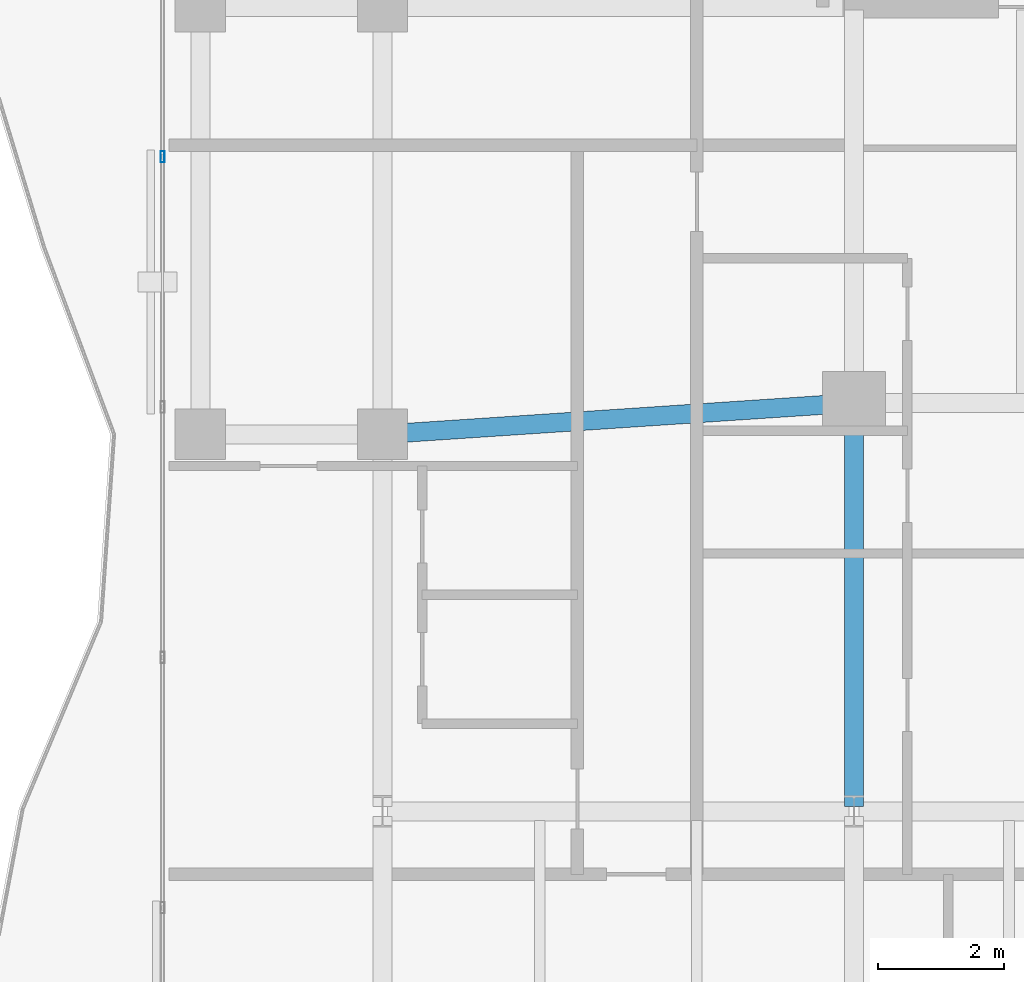
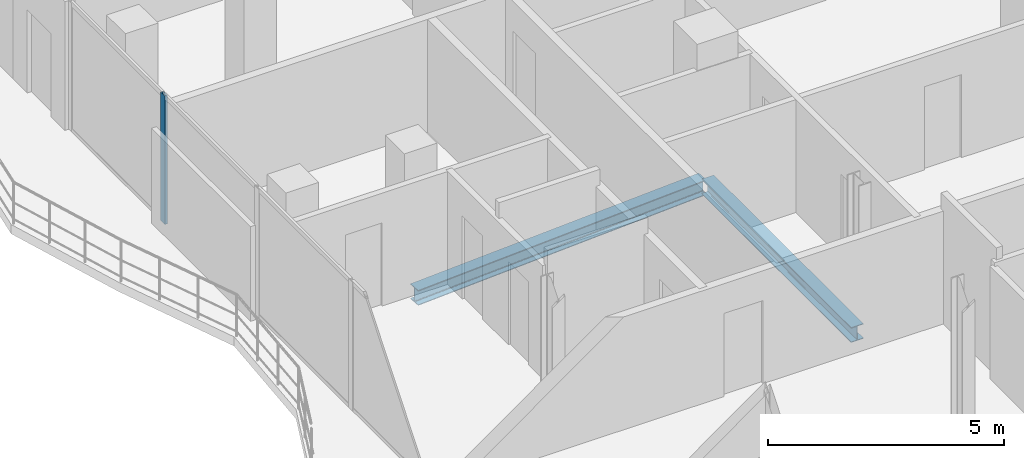
# One storey, part 8 of 23: 2 beams, 1 member, 1 element without a shape of its own.
"""IFC4 building model written with IfcOpenShell, lengths in metres."""

from ifc_helpers import new_model, si_unit, direction, frame, origin, origin_2d, place, context, subcontext, project, spatial, hollow_rectangle, i_section, extrude, material, layer, layer_set, material_profile, profile_set, type_object, element, aggregate, save


model = new_model("IFC4")

# Units and contexts
model_context = context("Model", 3, precision=1e-05, world=origin(), true_north=direction((0.0, 1.0)))
body_context = subcontext(model_context, "Body", "Model", "MODEL_VIEW")
ifc_project = project(units=[si_unit("LENGTHUNIT", "METRE"), si_unit("AREAUNIT", "SQUARE_METRE"), si_unit("VOLUMEUNIT", "CUBIC_METRE"), si_unit("PLANEANGLEUNIT", "RADIAN"), si_unit("MASSUNIT", "GRAM", prefix="KILO")], contexts=[model_context])

# Site, building, storey
site_placement = place(None, origin())
site = spatial("IfcSite", under=ifc_project, at=site_placement, CompositionType="ELEMENT")
building_placement = place(site_placement, origin())
building = spatial("IfcBuilding", under=site, at=building_placement, Name="Catumbela Crestline Tower", CompositionType="ELEMENT")
storey_placement = place(building_placement, frame((0.0, 0.0, 168.6)))
storey = spatial("IfcBuildingStorey", under=building, at=storey_placement, Name="L43", CompositionType="ELEMENT", Elevation=168.6)

# Beams
ifc_material_1 = material(Name="Structural steel S355J2", Category="steel")
ifc_material_profile_1 = material_profile(ifc_material_1, i_section(OverallWidth=0.3, OverallDepth=0.39, WebThickness=0.011, FlangeThickness=0.019, FilletRadius=0.027, at=origin_2d()), Name="HEA 400")
ifc_profile_set_1 = profile_set([ifc_material_profile_1], Name="Structural steel S355J2")
beam_type = type_object("IfcBeamType", Name="BG-HEA400", PredefinedType="BEAM", material=ifc_profile_set_1)
beam_1_placement = place(storey_placement, frame((8.5798, 24.0053, -0.455), z_axis=(0.997784796964, 0.066524423687, 0.0), x_axis=(-0.066524423687, 0.997784796964, 0.0)))
element("IfcBeam", 1, at=beam_1_placement, inside=storey, type_object=beam_type, Name="L43 Beam BM-L43-S02", PredefinedType="BEAM", context=body_context, shape_type="SweptSolid", body=[
    extrude(i_section(OverallWidth=0.3, OverallDepth=0.39, WebThickness=0.011, FlangeThickness=0.019, FilletRadius=0.027, at=origin_2d()), origin(), (0.0, 0.0, 1.0), 7.3567),
])
beam_2_placement = place(storey_placement, frame((16.0, 18.08, -0.455), z_axis=(0.0, 1.0, 0.0), x_axis=(-1.0, 0.0, 0.0)))
element("IfcBeam", 2, at=beam_2_placement, inside=storey, type_object=beam_type, Name="L43 Beam BM-L43-WNS42", PredefinedType="BEAM", context=body_context, shape_type="SweptSolid", body=[
    extrude(i_section(OverallWidth=0.3, OverallDepth=0.39, WebThickness=0.011, FlangeThickness=0.019, FilletRadius=0.027, at=origin_2d()), origin(), (0.0, 0.0, 1.0), 6.34),
])

# Curtain wall, member
ifc_material_2 = material(Name="Aluminium alloy AW-6060-T66", Category="aluminium")
ifc_layer = layer(ifc_material_2, 0.18, Name="Aluminium alloy AW-6060-T66")
ifc_layer_set = layer_set([ifc_layer], Name="Aluminium alloy AW-6060-T66")
curtain_wall_type = type_object("IfcCurtainWallType", Name="CWU-Z3", PredefinedType="USERDEFINED", material=ifc_layer_set)
curtain_wall_placement = place(storey_placement, origin())
curtain_wall = element("IfcCurtainWall", 3, at=curtain_wall_placement, inside=storey, type_object=curtain_wall_type, Name="L43 Unitised Curtain Wall CW-L43-E9S2", ObjectType="UNITISED", PredefinedType="USERDEFINED")
ifc_material_profile_2 = material_profile(ifc_material_2, hollow_rectangle(XDim=0.065, YDim=0.18, WallThickness=0.004, at=origin_2d()), Name="ALU 180x65x4")
ifc_profile_set_2 = profile_set([ifc_material_profile_2], Name="Aluminium alloy AW-6060-T66")
member_type = type_object("IfcMemberType", Name="MUL-180X65", PredefinedType="MULLION", material=ifc_profile_set_2)
member_placement = place(storey_placement, frame((5.0, 28.4167, 0.0), z_axis=(0.0, 0.0, 1.0), x_axis=(1.0, 0.0, 0.0)))
member = element("IfcMember", 4, at=member_placement, type_object=member_type, Name="CWU-Z3 mullion 2", PredefinedType="MULLION", context=body_context, shape_type="SweptSolid", body=[
    extrude(hollow_rectangle(XDim=0.065, YDim=0.18, WallThickness=0.004, at=origin_2d()), origin(), (0.0, 0.0, 1.0), 3.33),
])
aggregate(curtain_wall, [member])

save(model, "model.ifc")
